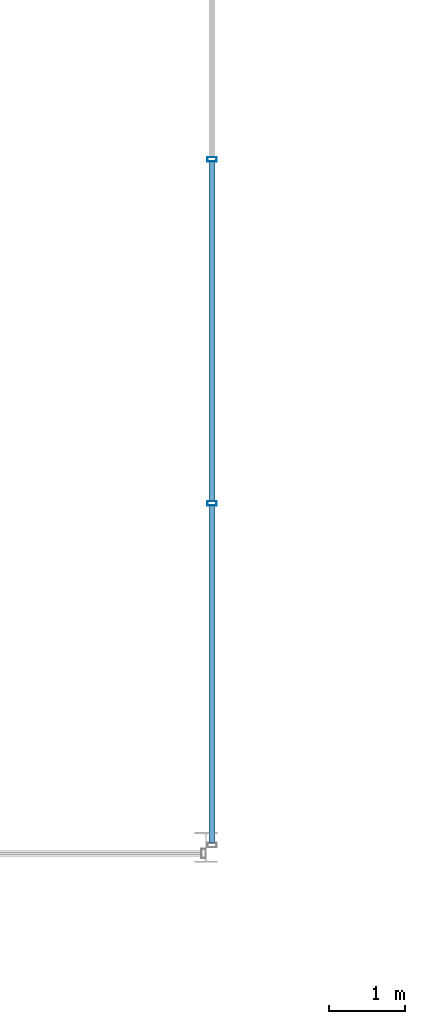
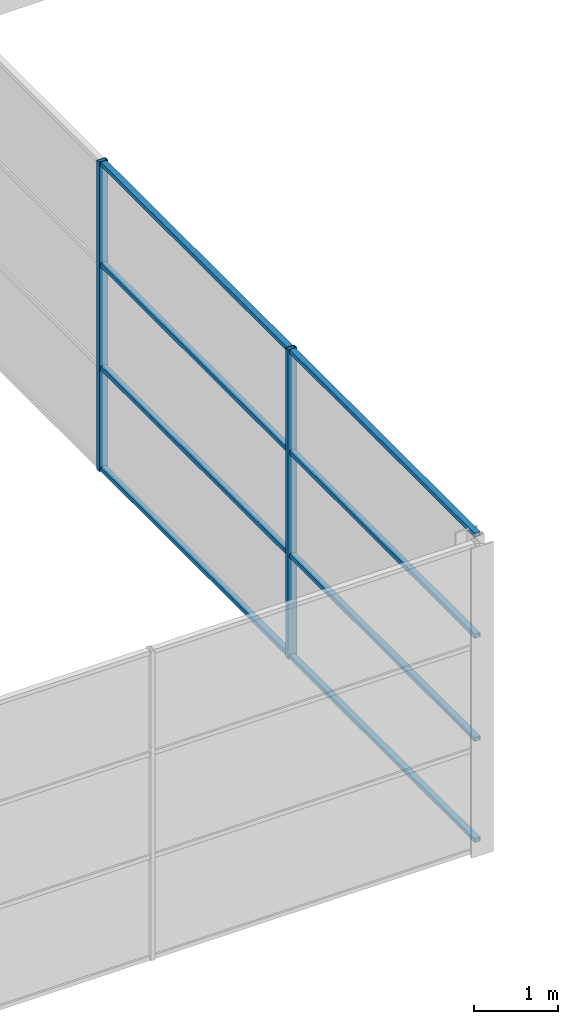
# One storey, part 17 of 70: 10 members, 1 element without a shape of its own.
"""IFC4 building model written with IfcOpenShell, lengths in metres."""

from ifc_helpers import new_model, si_unit, direction, frame, origin, origin_2d, place, context, subcontext, project, spatial, hollow_rectangle, extrude, material, material_profile, profile_set, type_object, element, aggregate, save


model = new_model("IFC4")

# Units and contexts
model_context = context("Model", 3, precision=1e-05, world=origin(), true_north=direction((0.0, 1.0)))
body_context = subcontext(model_context, "Body", "Model", "MODEL_VIEW")
ifc_project = project(units=[si_unit("LENGTHUNIT", "METRE"), si_unit("AREAUNIT", "SQUARE_METRE"), si_unit("VOLUMEUNIT", "CUBIC_METRE"), si_unit("PLANEANGLEUNIT", "RADIAN"), si_unit("MASSUNIT", "GRAM", prefix="KILO")], contexts=[model_context])

# Site, building, storey
site_placement = place(None, origin())
site = spatial("IfcSite", under=ifc_project, at=site_placement, CompositionType="ELEMENT")
building_placement = place(site_placement, origin())
building = spatial("IfcBuilding", under=site, at=building_placement, Name="Kallimachos Central Library", CompositionType="ELEMENT")
storey_placement = place(building_placement, frame((0.0, 0.0, 18.89990234375)))
storey = spatial("IfcBuildingStorey", under=building, at=storey_placement, Name="L04", CompositionType="ELEMENT", Elevation=18.89990234375)

# Curtain wall, members
ifc_material_1 = material(Name="Aluminium and laminated glass", Category="aluminium")
curtain_wall_type = type_object("IfcCurtainWallType", Name="Atrium glazed screen", PredefinedType="NOTDEFINED", material=ifc_material_1)
curtain_wall_placement = place(storey_placement, origin())
curtain_wall = element("IfcCurtainWall", 1, at=curtain_wall_placement, inside=storey, type_object=curtain_wall_type, Name="L04 atrium screen E", PredefinedType="NOTDEFINED")
ifc_material_2 = material(Name="Anodised aluminium", Category="aluminium")
ifc_material_profile_1 = material_profile(ifc_material_2, hollow_rectangle(XDim=0.06005859375, YDim=0.1201171875, WallThickness=0.00390625, at=origin_2d()), Name="ALU MULLION 60x120")
ifc_profile_set_1 = profile_set([ifc_material_profile_1], Name="Anodised aluminium")
member_type_1 = type_object("IfcMemberType", Name="Atrium screen mullion", PredefinedType="MULLION", material=ifc_profile_set_1)
member_1_placement = place(storey_placement, frame((101.580078125, 61.5, 0.0), z_axis=(0.0, 0.0, 1.0), x_axis=(0.0, 1.0, 0.0)))
member_1 = element("IfcMember", 2, at=member_1_placement, type_object=member_type_1, Name="CW mullion 2", PredefinedType="MULLION", context=body_context, shape_type="SweptSolid", body=[
    extrude(hollow_rectangle(XDim=0.06005859375, YDim=0.1201171875, WallThickness=0.00390625, at=origin_2d()), origin(), (0.0, 0.0, 1.0), 4.5),
])
member_2_placement = place(storey_placement, frame((101.580078125, 66.0, 0.0), z_axis=(0.0, 0.0, 1.0), x_axis=(0.0, 1.0, 0.0)))
member_2 = element("IfcMember", 3, at=member_2_placement, type_object=member_type_1, Name="CW mullion 3", PredefinedType="MULLION", context=body_context, shape_type="SweptSolid", body=[
    extrude(hollow_rectangle(XDim=0.06005859375, YDim=0.1201171875, WallThickness=0.00390625, at=origin_2d()), origin(), (0.0, 0.0, 1.0), 4.5),
])
ifc_material_3 = material(Name="Anodised aluminium", Category="aluminium")
ifc_material_profile_2 = material_profile(ifc_material_3, hollow_rectangle(XDim=0.06005859375, YDim=0.080078125, WallThickness=0.00390625, at=origin_2d()), Name="ALU TRANSOM 60x80")
ifc_profile_set_2 = profile_set([ifc_material_profile_2], Name="Anodised aluminium")
member_type_2 = type_object("IfcMemberType", Name="Atrium screen transom", PredefinedType="USERDEFINED", material=ifc_profile_set_2)
member_3_placement = place(storey_placement, frame((101.580078125, 57.06005859375, 0.030029296875), z_axis=(0.0, 1.0, 0.0), x_axis=(0.0, 0.0, 1.0)))
member_3 = element("IfcMember", 4, at=member_3_placement, type_object=member_type_2, Name="CW transom 1.1", ObjectType="TRANSOM", PredefinedType="USERDEFINED", context=body_context, shape_type="SweptSolid", body=[
    extrude(hollow_rectangle(XDim=0.06005859375, YDim=0.080078125, WallThickness=0.00390625, at=origin_2d()), origin(), (0.0, 0.0, 1.0), 4.409912109375),
])
member_4_placement = place(storey_placement, frame((101.580078125, 57.06005859375, 1.5), z_axis=(0.0, 1.0, 0.0), x_axis=(0.0, 0.0, 1.0)))
member_4 = element("IfcMember", 5, at=member_4_placement, type_object=member_type_2, Name="CW transom 1.2", ObjectType="TRANSOM", PredefinedType="USERDEFINED", context=body_context, shape_type="SweptSolid", body=[
    extrude(hollow_rectangle(XDim=0.06005859375, YDim=0.080078125, WallThickness=0.00390625, at=origin_2d()), origin(), (0.0, 0.0, 1.0), 4.409912109375),
])
member_5_placement = place(storey_placement, frame((101.580078125, 57.06005859375, 3.0), z_axis=(0.0, 1.0, 0.0), x_axis=(0.0, 0.0, 1.0)))
member_5 = element("IfcMember", 6, at=member_5_placement, type_object=member_type_2, Name="CW transom 1.3", ObjectType="TRANSOM", PredefinedType="USERDEFINED", context=body_context, shape_type="SweptSolid", body=[
    extrude(hollow_rectangle(XDim=0.06005859375, YDim=0.080078125, WallThickness=0.00390625, at=origin_2d()), origin(), (0.0, 0.0, 1.0), 4.409912109375),
])
member_6_placement = place(storey_placement, frame((101.580078125, 57.06005859375, 4.47021484375), z_axis=(0.0, 1.0, 0.0), x_axis=(0.0, 0.0, 1.0)))
member_6 = element("IfcMember", 7, at=member_6_placement, type_object=member_type_2, Name="CW transom 1.4", ObjectType="TRANSOM", PredefinedType="USERDEFINED", context=body_context, shape_type="SweptSolid", body=[
    extrude(hollow_rectangle(XDim=0.06005859375, YDim=0.080078125, WallThickness=0.00390625, at=origin_2d()), origin(), (0.0, 0.0, 1.0), 4.409912109375),
])
member_7_placement = place(storey_placement, frame((101.580078125, 61.530029296875, 0.030029296875), z_axis=(0.0, 1.0, 0.0), x_axis=(0.0, 0.0, 1.0)))
member_7 = element("IfcMember", 8, at=member_7_placement, type_object=member_type_2, Name="CW transom 2.1", ObjectType="TRANSOM", PredefinedType="USERDEFINED", context=body_context, shape_type="SweptSolid", body=[
    extrude(hollow_rectangle(XDim=0.06005859375, YDim=0.080078125, WallThickness=0.00390625, at=origin_2d()), origin(), (0.0, 0.0, 1.0), 4.43994140625),
])
member_8_placement = place(storey_placement, frame((101.580078125, 61.530029296875, 1.5), z_axis=(0.0, 1.0, 0.0), x_axis=(0.0, 0.0, 1.0)))
member_8 = element("IfcMember", 9, at=member_8_placement, type_object=member_type_2, Name="CW transom 2.2", ObjectType="TRANSOM", PredefinedType="USERDEFINED", context=body_context, shape_type="SweptSolid", body=[
    extrude(hollow_rectangle(XDim=0.06005859375, YDim=0.080078125, WallThickness=0.00390625, at=origin_2d()), origin(), (0.0, 0.0, 1.0), 4.43994140625),
])
member_9_placement = place(storey_placement, frame((101.580078125, 61.530029296875, 3.0), z_axis=(0.0, 1.0, 0.0), x_axis=(0.0, 0.0, 1.0)))
member_9 = element("IfcMember", 10, at=member_9_placement, type_object=member_type_2, Name="CW transom 2.3", ObjectType="TRANSOM", PredefinedType="USERDEFINED", context=body_context, shape_type="SweptSolid", body=[
    extrude(hollow_rectangle(XDim=0.06005859375, YDim=0.080078125, WallThickness=0.00390625, at=origin_2d()), origin(), (0.0, 0.0, 1.0), 4.43994140625),
])
member_10_placement = place(storey_placement, frame((101.580078125, 61.530029296875, 4.47021484375), z_axis=(0.0, 1.0, 0.0), x_axis=(0.0, 0.0, 1.0)))
member_10 = element("IfcMember", 11, at=member_10_placement, type_object=member_type_2, Name="CW transom 2.4", ObjectType="TRANSOM", PredefinedType="USERDEFINED", context=body_context, shape_type="SweptSolid", body=[
    extrude(hollow_rectangle(XDim=0.06005859375, YDim=0.080078125, WallThickness=0.00390625, at=origin_2d()), origin(), (0.0, 0.0, 1.0), 4.43994140625),
])
aggregate(curtain_wall, [member_1, member_2, member_3, member_4, member_5, member_6, member_7, member_8, member_9, member_10])

save(model, "model.ifc")
